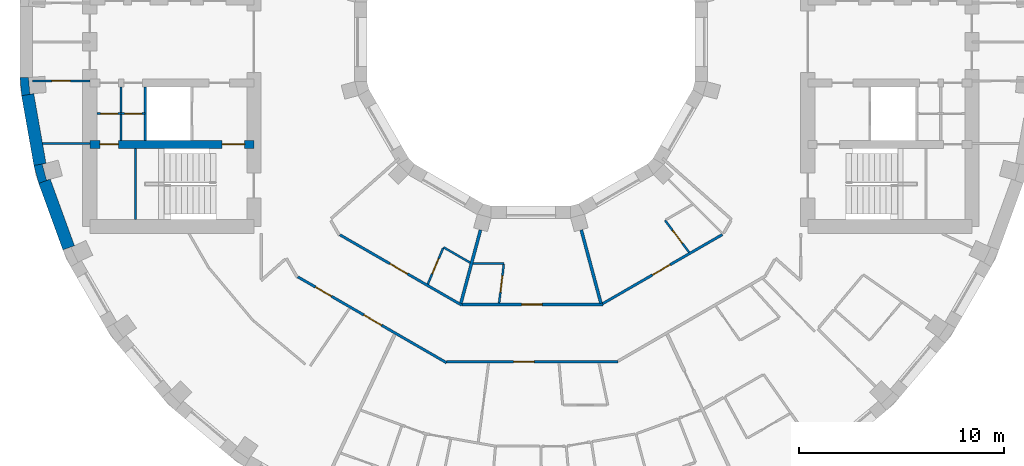
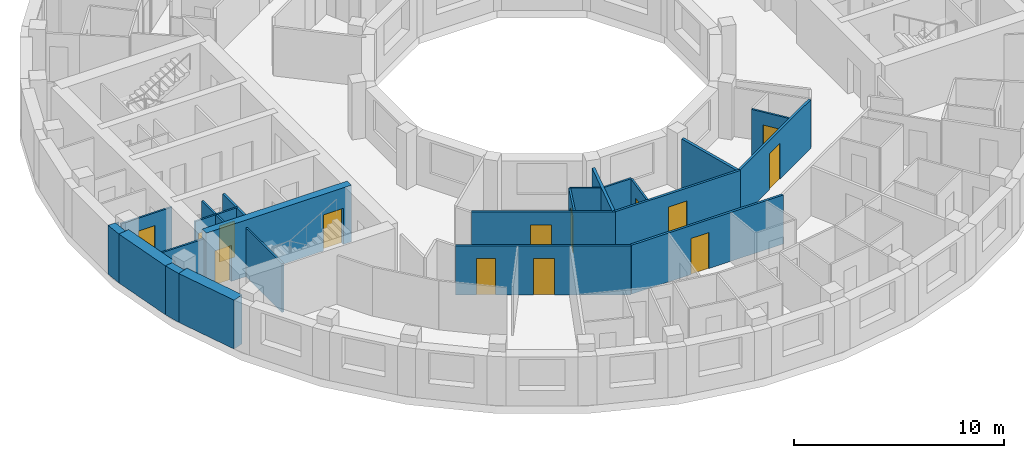
# One storey, part 5 of 15: 24 walls, 14 doors, 14 openings.
"""IFC4 building model written with IfcOpenShell, lengths in metres."""

from ifc_helpers import new_model, si_unit, direction, frame, frame_2d, origin, place, context, subcontext, project, spatial, polyline, rectangle, outline, extrude, material, layer, layer_set, type_object, element, fill, save


model = new_model("IFC4")

# Units and contexts
model_context = context("Model", 3, precision=1e-05, world=origin(), true_north=direction((0.0, 1.0)))
body_context = subcontext(model_context, "Body", "Model", "MODEL_VIEW")
ifc_project = project(units=[si_unit("LENGTHUNIT", "METRE"), si_unit("AREAUNIT", "SQUARE_METRE"), si_unit("VOLUMEUNIT", "CUBIC_METRE"), si_unit("PLANEANGLEUNIT", "RADIAN"), si_unit("MASSUNIT", "GRAM", prefix="KILO")], contexts=[model_context])

# Site, building, storey
site_placement = place(None, origin())
site = spatial("IfcSite", under=ifc_project, at=site_placement, CompositionType="ELEMENT")
building_placement = place(site_placement, origin())
building = spatial("IfcBuilding", under=site, at=building_placement, Name="Saqina Gate Tower", CompositionType="ELEMENT")
storey_placement = place(building_placement, frame((0.0, 0.0, 197.10009765625)))
storey = spatial("IfcBuildingStorey", under=building, at=storey_placement, Name="L56", CompositionType="ELEMENT", Elevation=197.10009765625)

# Walls
ifc_material_1 = material(Name="Brick masonry (buff)", Category="masonry")
wall_type_1 = type_object("IfcWallType", Name="BRICK PIER COPING BUFF", PredefinedType="SOLIDWALL", material=ifc_material_1)
wall_1_placement = place(storey_placement, origin())
element("IfcWall", 1, at=wall_1_placement, inside=storey, type_object=wall_type_1, Name="Pier cap L56 column 19", PredefinedType="SOLIDWALL", context=body_context, shape_type="SweptSolid", body=[
    extrude(outline(polyline([(-24.90478515625, -1.724853515625), (-24.825927734375, -2.6259765625), (-24.235107421875, -2.521728515625), (-24.421630859375, -2.5380859375), (-24.491455078125, -1.7412109375), (-24.304931640625, -1.724853515625), (-24.90478515625, -1.724853515625)])), origin(), (0.0, 0.0, 1.0), 2.849853515625),
])
wall_2_placement = place(storey_placement, origin())
element("IfcWall", 2, at=wall_2_placement, inside=storey, type_object=wall_type_1, Name="Pier cap L56 column 20", PredefinedType="SOLIDWALL", context=body_context, shape_type="SweptSolid", body=[
    extrude(outline(polyline([(-24.22705078125, -6.0234375), (-23.992919921875, -6.897216796875), (-23.428955078125, -6.69189453125), (-23.610107421875, -6.740478515625), (-23.81689453125, -5.967529296875), (-23.635986328125, -5.919189453125), (-24.22705078125, -6.0234375)])), origin(), (0.0, 0.0, 1.0), 2.849853515625),
])
ifc_material_2 = material(Name="Gypsum board on steel studs", Category="steel")
ifc_layer_1 = layer(ifc_material_2, 0.10009765625)
ifc_layer_set_1 = layer_set([ifc_layer_1], Name="CORE PARTITION")
wall_type_2 = type_object("IfcWallType", Name="CORE PARTITION", PredefinedType="PARTITIONING", material=ifc_layer_set_1)
wall_3_placement = place(storey_placement, frame((-21.5, -4.949951171875, 0.0), z_axis=(0.0, 0.0, 1.0), x_axis=(-1.0, 0.0, 0.0)))
element("IfcWall", 3, at=wall_3_placement, inside=storey, type_object=wall_type_2, Name="L56-CP-W03", PredefinedType="PARTITIONING", context=body_context, shape_type="SweptSolid", body=[
    extrude(rectangle(XDim=2.306884765625, YDim=0.10009765625, at=frame_2d((1.1533203125, 0.0))), origin(), (0.0, 0.0, 1.0), 2.849853515625),
])

# Wall, opening, door
wall_4_placement = place(storey_placement, frame((-21.5, -1.89990234375, 0.0), z_axis=(0.0, 0.0, 1.0), x_axis=(-1.0, 0.0, 0.0)))
wall_4 = element("IfcWall", 4, at=wall_4_placement, inside=storey, type_object=wall_type_2, Name="L56-CP-W04", PredefinedType="PARTITIONING", context=body_context, shape_type="SweptSolid", body=[
    extrude(rectangle(XDim=2.804931640625, YDim=0.10009765625, at=frame_2d((1.40234375, 0.0))), origin(), (0.0, 0.0, 1.0), 2.849853515625),
])
opening_1_placement = place(wall_4_placement, frame((0.952392578125, 0.0, 0.0)))
opening_1 = element("IfcOpeningElement", 5, at=opening_1_placement, cuts=wall_4, Name="Opening G16-D116", PredefinedType="OPENING", context=body_context, shape_type="SweptSolid", body=[
    extrude(rectangle(XDim=0.89990234375, YDim=2.10009765625, at=frame_2d((0.449951171875, 1.050048828125))), frame((0.0, 0.06201171875, 0.0), z_axis=(0.0, -1.0, 0.0), x_axis=(1.0, 0.0, 0.0)), (0.0, 0.0, 1.0), 0.1240234375),
])
ifc_material_3 = material(Name="Steel-framed fire door leaf, EI 60", Category="steel")
door_type_1 = type_object("IfcDoorType", Name="SERVICE ROOM DOOR 900", OperationType="SINGLE_SWING_LEFT", PredefinedType="DOOR", material=ifc_material_3)
door_1_placement = place(opening_1_placement, origin())
door_1 = element("IfcDoor", 6, at=door_1_placement, inside=storey, type_object=door_type_1, Name="L56-CD-W27", OperationType="SINGLE_SWING_LEFT", OverallHeight=2.10009765625, OverallWidth=0.89990234375, PredefinedType="DOOR", context=body_context, shape_type="SweptSolid", body=[
    extrude(rectangle(XDim=0.89990234375, YDim=2.10009765625, at=frame_2d((0.449951171875, 1.050048828125))), frame((0.0, 0.02490234375, 0.0), z_axis=(0.0, -1.0, 0.0), x_axis=(1.0, 0.0, 0.0)), (0.0, 0.0, 1.0), 0.050048828125),
])
fill(opening_1, door_1)

# Wall
wall_5_placement = place(storey_placement, frame((-19.97998046875, -4.800048828125, 0.0), z_axis=(0.0, 0.0, 1.0), x_axis=(0.0, 1.0, 0.0)))
element("IfcWall", 7, at=wall_5_placement, inside=storey, type_object=wall_type_2, Name="L56-CP-W11", PredefinedType="PARTITIONING", context=body_context, shape_type="SweptSolid", body=[
    extrude(rectangle(XDim=2.60009765625, YDim=0.10009765625, at=frame_2d((1.300048828125, 0.0))), origin(), (0.0, 0.0, 1.0), 2.849853515625),
])

# Wall, opening, door
wall_6_placement = place(storey_placement, frame((-18.81005859375, -3.5, 0.0), z_axis=(0.0, 0.0, 1.0), x_axis=(-1.0, 0.0, 0.0)))
wall_6 = element("IfcWall", 8, at=wall_6_placement, inside=storey, type_object=wall_type_2, Name="L56-CP-W14", PredefinedType="PARTITIONING", context=body_context, shape_type="SweptSolid", body=[
    extrude(rectangle(XDim=1.169921875, YDim=0.10009765625, at=frame_2d((0.5849609375, 0.0))), origin(), (0.0, 0.0, 1.0), 2.849853515625),
])
opening_2_placement = place(wall_6_placement, frame((0.14990234375, 0.0, 0.0)))
opening_2 = element("IfcOpeningElement", 9, at=opening_2_placement, cuts=wall_6, Name="Opening G16-D121", PredefinedType="OPENING", context=body_context, shape_type="SweptSolid", body=[
    extrude(rectangle(XDim=0.85009765625, YDim=2.10009765625, at=frame_2d((0.425048828125, 1.050048828125))), frame((0.0, 0.06201171875, 0.0), z_axis=(0.0, -1.0, 0.0), x_axis=(1.0, 0.0, 0.0)), (0.0, 0.0, 1.0), 0.1240234375),
])
ifc_material_4 = material(Name="Steel-framed fire door leaf, EI 60", Category="steel")
door_type_2 = type_object("IfcDoorType", Name="SERVICE ROOM DOOR 850", OperationType="SINGLE_SWING_LEFT", PredefinedType="DOOR", material=ifc_material_4)
door_2_placement = place(opening_2_placement, origin())
door_2 = element("IfcDoor", 10, at=door_2_placement, inside=storey, type_object=door_type_2, Name="L56-CD-W32", OperationType="SINGLE_SWING_LEFT", OverallHeight=2.10009765625, OverallWidth=0.85009765625, PredefinedType="DOOR", context=body_context, shape_type="SweptSolid", body=[
    extrude(rectangle(XDim=0.85009765625, YDim=2.10009765625, at=frame_2d((0.425048828125, 1.050048828125))), frame((0.0, 0.02490234375, 0.0), z_axis=(0.0, -1.0, 0.0), x_axis=(1.0, 0.0, 0.0)), (0.0, 0.0, 1.0), 0.050048828125),
])
fill(opening_2, door_2)

wall_7_placement = place(storey_placement, frame((-19.97998046875, -3.5, 0.0), z_axis=(0.0, 0.0, 1.0), x_axis=(-1.0, 0.0, 0.0)))
wall_7 = element("IfcWall", 11, at=wall_7_placement, inside=storey, type_object=wall_type_2, Name="L56-CP-W15", PredefinedType="PARTITIONING", context=body_context, shape_type="SweptSolid", body=[
    extrude(rectangle(XDim=1.169921875, YDim=0.10009765625, at=frame_2d((0.5849609375, 0.0))), origin(), (0.0, 0.0, 1.0), 2.849853515625),
])
opening_3_placement = place(wall_7_placement, frame((0.14990234375, 0.0, 0.0)))
opening_3 = element("IfcOpeningElement", 12, at=opening_3_placement, cuts=wall_7, Name="Opening G16-D122", PredefinedType="OPENING", context=body_context, shape_type="SweptSolid", body=[
    extrude(rectangle(XDim=0.85009765625, YDim=2.10009765625, at=frame_2d((0.425048828125, 1.050048828125))), frame((0.0, 0.06201171875, 0.0), z_axis=(0.0, -1.0, 0.0), x_axis=(1.0, 0.0, 0.0)), (0.0, 0.0, 1.0), 0.1240234375),
])
door_3_placement = place(opening_3_placement, origin())
door_3 = element("IfcDoor", 13, at=door_3_placement, inside=storey, type_object=door_type_2, Name="L56-CD-W33", OperationType="SINGLE_SWING_RIGHT", OverallHeight=2.10009765625, OverallWidth=0.85009765625, PredefinedType="DOOR", context=body_context, shape_type="SweptSolid", body=[
    extrude(rectangle(XDim=0.85009765625, YDim=2.10009765625, at=frame_2d((0.425048828125, 1.050048828125))), frame((0.0, 0.02490234375, 0.0), z_axis=(0.0, -1.0, 0.0), x_axis=(1.0, 0.0, 0.0)), (0.0, 0.0, 1.0), 0.050048828125),
])
fill(opening_3, door_3)

# Walls
ifc_material_5 = material(Name="Glazed ceramic tile", Category="ceramic")
ifc_layer_2 = layer(ifc_material_5, 0.60009765625)
ifc_layer_set_2 = layer_set([ifc_layer_2], Name="FW-TILE")
wall_type_3 = type_object("IfcWallType", Name="FW-TILE", PredefinedType="SOLIDWALL", material=ifc_layer_set_2)
wall_8_placement = place(storey_placement, frame((-24.530517578125, -2.573974609375, 0.0), z_axis=(0.0, 0.0, 1.0), x_axis=(0.173607684551, -0.984814892183, 0.0)))
element("IfcWall", 14, at=wall_8_placement, inside=storey, type_object=wall_type_3, Name="Facade wall L56 facet 19", PredefinedType="SOLIDWALL", context=body_context, shape_type="SweptSolid", body=[
    extrude(rectangle(XDim=3.44970703125, YDim=0.60009765625, at=frame_2d((1.724853515625, 0.0))), origin(), (0.0, 0.0, 1.0), 2.849853515625),
])
ifc_material_6 = material(Name="Glazed ceramic tile (white)", Category="ceramic")
ifc_layer_3 = layer(ifc_material_6, 0.60009765625)
ifc_layer_set_3 = layer_set([ifc_layer_3], Name="FW-TILE-WH")
wall_type_4 = type_object("IfcWallType", Name="FW-TILE-WH", PredefinedType="SOLIDWALL", material=ifc_layer_set_3)
wall_9_placement = place(storey_placement, frame((-23.7109375, -6.79443359375, 0.0), z_axis=(0.0, 0.0, 1.0), x_axis=(0.342032843455, -0.93968799822, 0.0)))
element("IfcWall", 15, at=wall_9_placement, inside=storey, type_object=wall_type_4, Name="Facade wall L56 facet 20", PredefinedType="SOLIDWALL", context=body_context, shape_type="SweptSolid", body=[
    extrude(rectangle(XDim=3.44970703125, YDim=0.60009765625, at=frame_2d((1.724853515625, 0.0))), origin(), (0.0, 0.0, 1.0), 2.849853515625),
])

# Wall, opening, door
ifc_material_7 = material(Name="Gypsum board on steel studs, 100 mm", Category="steel")
ifc_layer_4 = layer(ifc_material_7, 0.10009765625)
ifc_layer_set_4 = layer_set([ifc_layer_4], Name="PARTITION 100")
wall_type_5 = type_object("IfcWallType", Name="PARTITION 100", PredefinedType="PARTITIONING", material=ifc_layer_set_4)
wall_10_placement = place(storey_placement, frame((6.5390625, -8.696044921875, 0.0), z_axis=(0.0, 0.0, 1.0), x_axis=(0.601120334692, -0.799158521959, 0.0)))
wall_10 = element("IfcWall", 16, at=wall_10_placement, inside=storey, type_object=wall_type_5, Name="PARTITION PW3-20", PredefinedType="PARTITIONING", context=body_context, shape_type="SweptSolid", body=[
    extrude(rectangle(XDim=1.951416015625, YDim=0.10009765625, at=frame_2d((0.9755859375, 0.0))), origin(), (0.0, 0.0, 1.0), 2.849853515625),
])
opening_4_placement = place(wall_10_placement, frame((0.607421875, 0.0, 0.0)))
opening_4 = element("IfcOpeningElement", 17, at=opening_4_placement, cuts=wall_10, Name="Opening G16-D58", PredefinedType="OPENING", context=body_context, shape_type="SweptSolid", body=[
    extrude(rectangle(XDim=0.800048828125, YDim=2.10009765625, at=frame_2d((0.39990234375, 1.050048828125))), frame((0.0, 0.06201171875, 0.0), z_axis=(0.0, -1.0, 0.0), x_axis=(1.0, 0.0, 0.0)), (0.0, 0.0, 1.0), 0.1240234375),
])
ifc_material_8 = material(Name="Timber door leaf, 800 mm", Category="wood")
door_type_3 = type_object("IfcDoorType", Name="DOOR 800 TIMBER", OperationType="SINGLE_SWING_LEFT", PredefinedType="DOOR", material=ifc_material_8)
door_4_placement = place(opening_4_placement, frame((0.800048828125, 0.0, 0.0), z_axis=(0.0, 0.0, 1.0), x_axis=(-1.0, 0.0, 0.0)))
door_4 = element("IfcDoor", 18, at=door_4_placement, inside=storey, type_object=door_type_3, Name="DOOR G16-D58", OperationType="SINGLE_SWING_LEFT", OverallHeight=2.10009765625, OverallWidth=0.800048828125, PredefinedType="DOOR", context=body_context, shape_type="SweptSolid", body=[
    extrude(rectangle(XDim=0.800048828125, YDim=2.10009765625, at=frame_2d((0.39990234375, 1.050048828125))), frame((0.0, 0.02490234375, 0.0), z_axis=(0.0, -1.0, 0.0), x_axis=(1.0, 0.0, 0.0)), (0.0, 0.0, 1.0), 0.050048828125),
])
fill(opening_4, door_4)

# Walls
wall_11_placement = place(storey_placement, frame((-4.260986328125, -10.010986328125, 0.0), z_axis=(0.0, 0.0, 1.0), x_axis=(0.86609634961, -0.499877098087, 0.0)))
element("IfcWall", 19, at=wall_11_placement, inside=storey, type_object=wall_type_5, Name="PARTITION PW3-37", PredefinedType="PARTITIONING", context=body_context, shape_type="SweptSolid", body=[
    extrude(rectangle(XDim=1.50341796875, YDim=0.10009765625, at=frame_2d((0.751708984375, 0.0))), origin(), (0.0, 0.0, 1.0), 2.849853515625),
])
wall_12_placement = place(storey_placement, frame((-2.819091796875, -10.800048828125, 0.0), z_axis=(0.0, 0.0, 1.0), x_axis=(1.0, 0.0, 0.0)))
element("IfcWall", 20, at=wall_12_placement, inside=storey, type_object=wall_type_5, Name="PARTITION PW3-54", PredefinedType="PARTITIONING", context=body_context, shape_type="SweptSolid", body=[
    extrude(rectangle(XDim=1.504150390625, YDim=0.10009765625, at=frame_2d((0.751953125, 0.0))), origin(), (0.0, 0.0, 1.0), 2.849853515625),
])

# Wall, opening, door
wall_13_placement = place(storey_placement, frame((-5.025634765625, -11.806396484375, 0.0), z_axis=(0.0, 0.0, 1.0), x_axis=(0.391841940262, 0.920032550431, 0.0)))
wall_13 = element("IfcWall", 21, at=wall_13_placement, inside=storey, type_object=wall_type_5, Name="PARTITION PW3-90", PredefinedType="PARTITIONING", context=body_context, shape_type="SweptSolid", body=[
    extrude(rectangle(XDim=1.901611328125, YDim=0.10009765625, at=frame_2d((0.95068359375, 0.0))), origin(), (0.0, 0.0, 1.0), 2.849853515625),
])
opening_5_placement = place(wall_13_placement, frame((0.54443359375, 0.0, 0.0)))
opening_5 = element("IfcOpeningElement", 22, at=opening_5_placement, cuts=wall_13, Name="Opening G16-D37", PredefinedType="OPENING", context=body_context, shape_type="SweptSolid", body=[
    extrude(rectangle(XDim=0.800048828125, YDim=2.10009765625, at=frame_2d((0.39990234375, 1.050048828125))), frame((0.0, 0.06201171875, 0.0), z_axis=(0.0, -1.0, 0.0), x_axis=(1.0, 0.0, 0.0)), (0.0, 0.0, 1.0), 0.1240234375),
])
door_5_placement = place(opening_5_placement, origin())
door_5 = element("IfcDoor", 23, at=door_5_placement, inside=storey, type_object=door_type_3, Name="DOOR G16-D37", OperationType="SINGLE_SWING_LEFT", OverallHeight=2.10009765625, OverallWidth=0.800048828125, PredefinedType="DOOR", context=body_context, shape_type="SweptSolid", body=[
    extrude(rectangle(XDim=0.800048828125, YDim=2.10009765625, at=frame_2d((0.39990234375, 1.050048828125))), frame((0.0, 0.02490234375, 0.0), z_axis=(0.0, -1.0, 0.0), x_axis=(1.0, 0.0, 0.0)), (0.0, 0.0, 1.0), 0.050048828125),
])
fill(opening_5, door_5)

wall_14_placement = place(storey_placement, frame((-1.551513671875, -12.738037109375, 0.0), z_axis=(0.0, 0.0, 1.0), x_axis=(0.121143814879, 0.992634966197, 0.0)))
wall_14 = element("IfcWall", 24, at=wall_14_placement, inside=storey, type_object=wall_type_5, Name="PARTITION PW3-100", PredefinedType="PARTITIONING", context=body_context, shape_type="SweptSolid", body=[
    extrude(rectangle(XDim=1.90234375, YDim=0.10009765625, at=frame_2d((0.951171875, 0.0))), origin(), (0.0, 0.0, 1.0), 2.849853515625),
])
opening_6_placement = place(wall_14_placement, frame((0.544921875, 0.0, 0.0)))
opening_6 = element("IfcOpeningElement", 25, at=opening_6_placement, cuts=wall_14, Name="Opening G16-D43", PredefinedType="OPENING", context=body_context, shape_type="SweptSolid", body=[
    extrude(rectangle(XDim=0.800048828125, YDim=2.10009765625, at=frame_2d((0.39990234375, 1.050048828125))), frame((0.0, 0.06201171875, 0.0), z_axis=(0.0, -1.0, 0.0), x_axis=(1.0, 0.0, 0.0)), (0.0, 0.0, 1.0), 0.1240234375),
])
door_6_placement = place(opening_6_placement, frame((0.800048828125, 0.0, 0.0), z_axis=(0.0, 0.0, 1.0), x_axis=(-1.0, 0.0, 0.0)))
door_6 = element("IfcDoor", 26, at=door_6_placement, inside=storey, type_object=door_type_3, Name="DOOR G16-D43", OperationType="SINGLE_SWING_RIGHT", OverallHeight=2.10009765625, OverallWidth=0.800048828125, PredefinedType="DOOR", context=body_context, shape_type="SweptSolid", body=[
    extrude(rectangle(XDim=0.800048828125, YDim=2.10009765625, at=frame_2d((0.39990234375, 1.050048828125))), frame((0.0, 0.02490234375, 0.0), z_axis=(0.0, -1.0, 0.0), x_axis=(1.0, 0.0, 0.0)), (0.0, 0.0, 1.0), 0.050048828125),
])
fill(opening_6, door_6)

# Wall, openings, doors
ifc_material_9 = material(Name="Gypsum board on steel studs, 125 mm, fire rated", Category="steel")
ifc_layer_5 = layer(ifc_material_9, 0.125)
ifc_layer_set_5 = layer_set([ifc_layer_5], Name="PARTITION EI 30 125")
wall_type_6 = type_object("IfcWallType", Name="PARTITION EI 30 125", PredefinedType="PARTITIONING", material=ifc_layer_set_5)
wall_15_placement = place(storey_placement, frame((-11.365966796875, -11.451171875, 0.0), z_axis=(0.0, 0.0, 1.0), x_axis=(0.866032091518, -0.499988416326, 0.0)))
wall_15 = element("IfcWall", 27, at=wall_15_placement, inside=storey, type_object=wall_type_6, Name="PARTITION PW1-13", PredefinedType="PARTITIONING", context=body_context, shape_type="SweptSolid", body=[
    extrude(rectangle(XDim=8.369873046875, YDim=0.125, at=frame_2d((4.18505859375, 0.0))), origin(), (0.0, 0.0, 1.0), 2.849853515625),
])
opening_7_placement = place(wall_15_placement, frame((0.997802734375, 0.0, 0.0)))
opening_7 = element("IfcOpeningElement", 28, at=opening_7_placement, cuts=wall_15, Name="Opening G16-D34", PredefinedType="OPENING", context=body_context, shape_type="SweptSolid", body=[
    extrude(rectangle(XDim=0.89990234375, YDim=2.10009765625, at=frame_2d((0.449951171875, 1.050048828125))), frame((0.0, 0.074462890625, 0.0), z_axis=(0.0, -1.0, 0.0), x_axis=(1.0, 0.0, 0.0)), (0.0, 0.0, 1.0), 0.14892578125),
])
opening_8_placement = place(wall_15_placement, frame((3.72021484375, 0.0, 0.0)))
opening_8 = element("IfcOpeningElement", 29, at=opening_8_placement, cuts=wall_15, Name="Opening G16-D36", PredefinedType="OPENING", context=body_context, shape_type="SweptSolid", body=[
    extrude(rectangle(XDim=1.0, YDim=2.10009765625, at=frame_2d((0.5, 1.050048828125))), frame((0.0, 0.074462890625, 0.0), z_axis=(0.0, -1.0, 0.0), x_axis=(1.0, 0.0, 0.0)), (0.0, 0.0, 1.0), 0.14892578125),
])
ifc_material_10 = material(Name="Fire door leaf EI 30, 1000 mm")
door_type_4 = type_object("IfcDoorType", Name="DOOR 1000 EI 30", OperationType="SINGLE_SWING_LEFT", PredefinedType="DOOR", material=ifc_material_10)
door_7_placement = place(opening_8_placement, origin())
door_7 = element("IfcDoor", 30, at=door_7_placement, inside=storey, type_object=door_type_4, Name="DOOR G16-D36", OperationType="SINGLE_SWING_RIGHT", OverallHeight=2.10009765625, OverallWidth=1.0, PredefinedType="DOOR", context=body_context, shape_type="SweptSolid", body=[
    extrude(rectangle(XDim=1.0, YDim=2.10009765625, at=frame_2d((0.5, 1.050048828125))), frame((0.0, 0.02490234375, 0.0), z_axis=(0.0, -1.0, 0.0), x_axis=(1.0, 0.0, 0.0)), (0.0, 0.0, 1.0), 0.050048828125),
])
fill(opening_8, door_7)
ifc_material_11 = material(Name="Fire door leaf EI 30, 900 mm")
door_type_5 = type_object("IfcDoorType", Name="DOOR 900 EI 30", OperationType="SINGLE_SWING_LEFT", PredefinedType="DOOR", material=ifc_material_11)
door_8_placement = place(opening_7_placement, frame((0.89990234375, 0.0, 0.0), z_axis=(0.0, 0.0, 1.0), x_axis=(-1.0, 0.0, 0.0)))
door_8 = element("IfcDoor", 31, at=door_8_placement, inside=storey, type_object=door_type_5, Name="DOOR G16-D34", OperationType="SINGLE_SWING_RIGHT", OverallHeight=2.10009765625, OverallWidth=0.89990234375, PredefinedType="DOOR", context=body_context, shape_type="SweptSolid", body=[
    extrude(rectangle(XDim=0.89990234375, YDim=2.10009765625, at=frame_2d((0.449951171875, 1.050048828125))), frame((0.0, 0.02490234375, 0.0), z_axis=(0.0, -1.0, 0.0), x_axis=(1.0, 0.0, 0.0)), (0.0, 0.0, 1.0), 0.050048828125),
])
fill(opening_7, door_8)

# Wall, opening, door
wall_16_placement = place(storey_placement, frame((-9.31591796875, -9.4013671875, 0.0), z_axis=(0.0, 0.0, 1.0), x_axis=(0.865996765544, -0.500049599607, 0.0)))
wall_16 = element("IfcWall", 32, at=wall_16_placement, inside=storey, type_object=wall_type_6, Name="PARTITION PW1-14", PredefinedType="PARTITIONING", context=body_context, shape_type="SweptSolid", body=[
    extrude(rectangle(XDim=6.868896484375, YDim=0.125, at=frame_2d((3.4345703125, 0.0))), origin(), (0.0, 0.0, 1.0), 2.849853515625),
])
opening_9_placement = place(wall_16_placement, frame((2.816162109375, 0.0, 0.0)))
opening_9 = element("IfcOpeningElement", 33, at=opening_9_placement, cuts=wall_16, Name="Opening G16-D35", PredefinedType="OPENING", context=body_context, shape_type="SweptSolid", body=[
    extrude(rectangle(XDim=1.0, YDim=2.10009765625, at=frame_2d((0.5, 1.050048828125))), frame((0.0, 0.074462890625, 0.0), z_axis=(0.0, -1.0, 0.0), x_axis=(1.0, 0.0, 0.0)), (0.0, 0.0, 1.0), 0.14892578125),
])
door_9_placement = place(opening_9_placement, origin())
door_9 = element("IfcDoor", 34, at=door_9_placement, inside=storey, type_object=door_type_4, Name="DOOR G16-D35", OperationType="SINGLE_SWING_LEFT", OverallHeight=2.10009765625, OverallWidth=1.0, PredefinedType="DOOR", context=body_context, shape_type="SweptSolid", body=[
    extrude(rectangle(XDim=1.0, YDim=2.10009765625, at=frame_2d((0.5, 1.050048828125))), frame((0.0, 0.02490234375, 0.0), z_axis=(0.0, -1.0, 0.0), x_axis=(1.0, 0.0, 0.0)), (0.0, 0.0, 1.0), 0.050048828125),
])
fill(opening_9, door_9)

wall_17_placement = place(storey_placement, frame((-4.117431640625, -15.60009765625, 0.0), z_axis=(0.0, 0.0, 1.0), x_axis=(1.0, 0.0, 0.0)))
wall_17 = element("IfcWall", 35, at=wall_17_placement, inside=storey, type_object=wall_type_6, Name="PARTITION PW1-23", PredefinedType="PARTITIONING", context=body_context, shape_type="SweptSolid", body=[
    extrude(rectangle(XDim=8.36962890625, YDim=0.125, at=frame_2d((4.184814453125, 0.0))), origin(), (0.0, 0.0, 1.0), 2.849853515625),
])
opening_10_placement = place(wall_17_placement, frame((3.27294921875, 0.0, 0.0)))
opening_10 = element("IfcOpeningElement", 36, at=opening_10_placement, cuts=wall_17, Name="Opening G16-D45", PredefinedType="OPENING", context=body_context, shape_type="SweptSolid", body=[
    extrude(rectangle(XDim=1.0, YDim=2.10009765625, at=frame_2d((0.5, 1.050048828125))), frame((0.0, 0.074462890625, 0.0), z_axis=(0.0, -1.0, 0.0), x_axis=(1.0, 0.0, 0.0)), (0.0, 0.0, 1.0), 0.14892578125),
])
door_10_placement = place(opening_10_placement, frame((1.0, 0.0, 0.0), z_axis=(0.0, 0.0, 1.0), x_axis=(-1.0, 0.0, 0.0)))
door_10 = element("IfcDoor", 37, at=door_10_placement, inside=storey, type_object=door_type_4, Name="DOOR G16-D45", OperationType="SINGLE_SWING_RIGHT", OverallHeight=2.10009765625, OverallWidth=1.0, PredefinedType="DOOR", context=body_context, shape_type="SweptSolid", body=[
    extrude(rectangle(XDim=1.0, YDim=2.10009765625, at=frame_2d((0.5, 1.050048828125))), frame((0.0, 0.02490234375, 0.0), z_axis=(0.0, -1.0, 0.0), x_axis=(1.0, 0.0, 0.0)), (0.0, 0.0, 1.0), 0.050048828125),
])
fill(opening_10, door_10)

wall_18_placement = place(storey_placement, frame((-3.367431640625, -12.800048828125, 0.0), z_axis=(0.0, 0.0, 1.0), x_axis=(1.0, 0.0, 0.0)))
wall_18 = element("IfcWall", 38, at=wall_18_placement, inside=storey, type_object=wall_type_6, Name="PARTITION PW1-24", PredefinedType="PARTITIONING", context=body_context, shape_type="SweptSolid", body=[
    extrude(rectangle(XDim=6.884033203125, YDim=0.125, at=frame_2d((3.44189453125, 0.0))), origin(), (0.0, 0.0, 1.0), 2.849853515625),
])
opening_11_placement = place(wall_18_placement, frame((2.91796875, 0.0, 0.0)))
opening_11 = element("IfcOpeningElement", 39, at=opening_11_placement, cuts=wall_18, Name="Opening G16-D46", PredefinedType="OPENING", context=body_context, shape_type="SweptSolid", body=[
    extrude(rectangle(XDim=1.0, YDim=2.10009765625, at=frame_2d((0.5, 1.050048828125))), frame((0.0, 0.074462890625, 0.0), z_axis=(0.0, -1.0, 0.0), x_axis=(1.0, 0.0, 0.0)), (0.0, 0.0, 1.0), 0.14892578125),
])
door_11_placement = place(opening_11_placement, origin())
door_11 = element("IfcDoor", 40, at=door_11_placement, inside=storey, type_object=door_type_4, Name="DOOR G16-D46", OperationType="SINGLE_SWING_LEFT", OverallHeight=2.10009765625, OverallWidth=1.0, PredefinedType="DOOR", context=body_context, shape_type="SweptSolid", body=[
    extrude(rectangle(XDim=1.0, YDim=2.10009765625, at=frame_2d((0.5, 1.050048828125))), frame((0.0, 0.02490234375, 0.0), z_axis=(0.0, -1.0, 0.0), x_axis=(1.0, 0.0, 0.0)), (0.0, 0.0, 1.0), 0.050048828125),
])
fill(opening_11, door_11)

wall_19_placement = place(storey_placement, frame((3.494873046875, -12.762451171875, 0.0), z_axis=(0.0, 0.0, 1.0), x_axis=(0.865996609613, 0.500049869652, 0.0)))
wall_19 = element("IfcWall", 41, at=wall_19_placement, inside=storey, type_object=wall_type_6, Name="PARTITION PW1-34", PredefinedType="PARTITIONING", context=body_context, shape_type="SweptSolid", body=[
    extrude(rectangle(XDim=6.734130859375, YDim=0.125, at=frame_2d((3.3671875, 0.0))), origin(), (0.0, 0.0, 1.0), 2.849853515625),
])
opening_12_placement = place(wall_19_placement, frame((2.8037109375, 0.0, 0.0)))
opening_12 = element("IfcOpeningElement", 42, at=opening_12_placement, cuts=wall_19, Name="Opening G16-D54", PredefinedType="OPENING", context=body_context, shape_type="SweptSolid", body=[
    extrude(rectangle(XDim=1.0, YDim=2.10009765625, at=frame_2d((0.5, 1.050048828125))), frame((0.0, 0.074462890625, 0.0), z_axis=(0.0, -1.0, 0.0), x_axis=(1.0, 0.0, 0.0)), (0.0, 0.0, 1.0), 0.14892578125),
])
door_12_placement = place(opening_12_placement, origin())
door_12 = element("IfcDoor", 43, at=door_12_placement, inside=storey, type_object=door_type_4, Name="DOOR G16-D54", OperationType="SINGLE_SWING_LEFT", OverallHeight=2.10009765625, OverallWidth=1.0, PredefinedType="DOOR", context=body_context, shape_type="SweptSolid", body=[
    extrude(rectangle(XDim=1.0, YDim=2.10009765625, at=frame_2d((0.5, 1.050048828125))), frame((0.0, 0.02490234375, 0.0), z_axis=(0.0, -1.0, 0.0), x_axis=(1.0, 0.0, 0.0)), (0.0, 0.0, 1.0), 0.050048828125),
])
fill(opening_12, door_12)

# Walls
ifc_material_12 = material(Name="Gypsum board on steel studs, 150 mm, fire rated", Category="steel")
ifc_layer_6 = layer(ifc_material_12, 0.14990234375)
ifc_layer_set_6 = layer_set([ifc_layer_6], Name="PARTITION EI 60 150")
wall_type_7 = type_object("IfcWallType", Name="PARTITION EI 60 150", PredefinedType="PARTITIONING", material=ifc_layer_set_6)
wall_20_placement = place(storey_placement, frame((2.45703125, -9.168701171875, 0.0), z_axis=(0.0, 0.0, 1.0), x_axis=(0.258879127767, -0.965909725185, 0.0)))
element("IfcWall", 44, at=wall_20_placement, inside=storey, type_object=wall_type_7, Name="PARTITION PW2-03", PredefinedType="PARTITIONING", context=body_context, shape_type="SweptSolid", body=[
    extrude(rectangle(XDim=3.69677734375, YDim=0.14990234375, at=frame_2d((1.848388671875, 0.0))), origin(), (0.0, 0.0, 1.0), 2.849853515625),
])
wall_21_placement = place(storey_placement, frame((-3.41357421875, -12.73974609375, 0.0), z_axis=(0.0, 0.0, 1.0), x_axis=(0.258739386172, 0.965947167315, 0.0)))
element("IfcWall", 45, at=wall_21_placement, inside=storey, type_object=wall_type_7, Name="PARTITION PW2-07", PredefinedType="PARTITIONING", context=body_context, shape_type="SweptSolid", body=[
    extrude(rectangle(XDim=3.697021484375, YDim=0.14990234375, at=frame_2d((1.8486328125, 0.0))), origin(), (0.0, 0.0, 1.0), 2.849853515625),
])
ifc_material_13 = material(Name="Autoclaved aerated concrete block", Category="concrete")
ifc_layer_7 = layer(ifc_material_13, 0.1201171875)
ifc_layer_set_7 = layer_set([ifc_layer_7], Name="SHAFT PARTITION")
wall_type_8 = type_object("IfcWallType", Name="SHAFT PARTITION", PredefinedType="PARTITIONING", material=ifc_layer_set_7)
wall_22_placement = place(storey_placement, frame((-18.81005859375, -4.800048828125, 0.0), z_axis=(0.0, 0.0, 1.0), x_axis=(0.0, 1.0, 0.0)))
element("IfcWall", 46, at=wall_22_placement, inside=storey, type_object=wall_type_8, Name="L56-CP-W10", PredefinedType="PARTITIONING", context=body_context, shape_type="SweptSolid", body=[
    extrude(rectangle(XDim=2.60009765625, YDim=0.1201171875, at=frame_2d((1.300048828125, 0.0))), origin(), (0.0, 0.0, 1.0), 2.849853515625),
])
ifc_material_14 = material(Name="Autoclaved aerated concrete block", Category="concrete")
ifc_layer_8 = layer(ifc_material_14, 0.10009765625)
ifc_layer_set_8 = layer_set([ifc_layer_8], Name="STAIR ENCLOSURE WALL")
wall_type_9 = type_object("IfcWallType", Name="STAIR ENCLOSURE WALL", PredefinedType="PARTITIONING", material=ifc_layer_set_8)
wall_23_placement = place(storey_placement, frame((-19.27001953125, -8.64990234375, 0.0), z_axis=(0.0, 0.0, 1.0), x_axis=(0.0, 1.0, 0.0)))
element("IfcWall", 47, at=wall_23_placement, inside=storey, type_object=wall_type_9, Name="L56-CP-W17", PredefinedType="PARTITIONING", context=body_context, shape_type="SweptSolid", body=[
    extrude(rectangle(XDim=3.449951171875, YDim=0.10009765625, at=frame_2d((1.72509765625, 0.0))), origin(), (0.0, 0.0, 1.0), 2.849853515625),
])

# Wall, openings, doors
ifc_material_15 = material(Name="Concrete C60/75", Category="concrete")
ifc_layer_9 = layer(ifc_material_15, 0.39990234375)
ifc_layer_set_9 = layer_set([ifc_layer_9], Name="Concrete C60/75")
wall_type_10 = type_object("IfcWallType", Name="STR-CORE WALL-C-I", PredefinedType="SHEAR", material=ifc_layer_set_9)
wall_24_placement = place(storey_placement, frame((-13.5, -5.0, 0.0), z_axis=(0.0, 0.0, 1.0), x_axis=(-1.0, 0.0, 0.0)))
wall_24 = element("IfcWall", 48, at=wall_24_placement, inside=storey, type_object=wall_type_10, Name="CORE WALL L56 W-X2", PredefinedType="SHEAR", context=body_context, shape_type="SweptSolid", body=[
    extrude(rectangle(XDim=8.0, YDim=0.39990234375, at=frame_2d((4.0, 0.0))), origin(), (0.0, 0.0, 1.0), 3.2998046875),
])
opening_13_placement = place(wall_24_placement, frame((6.614990234375, 0.0, 0.0)))
opening_13 = element("IfcOpeningElement", 49, at=opening_13_placement, cuts=wall_24, Name="Opening G16-D123", PredefinedType="OPENING", context=body_context, shape_type="SweptSolid", body=[
    extrude(rectangle(XDim=0.89990234375, YDim=2.10009765625, at=frame_2d((0.449951171875, 1.050048828125))), frame((0.0, 0.2119140625, 0.0), z_axis=(0.0, -1.0, 0.0), x_axis=(1.0, 0.0, 0.0)), (0.0, 0.0, 1.0), 0.423828125),
])
opening_14_placement = place(wall_24_placement, frame((0.449951171875, 0.0, 0.0)))
opening_14 = element("IfcOpeningElement", 50, at=opening_14_placement, cuts=wall_24, Name="Opening G16-D124", PredefinedType="OPENING", context=body_context, shape_type="SweptSolid", body=[
    extrude(rectangle(XDim=1.10009765625, YDim=2.10009765625, at=frame_2d((0.550048828125, 1.050048828125))), frame((0.0, 0.2119140625, 0.0), z_axis=(0.0, -1.0, 0.0), x_axis=(1.0, 0.0, 0.0)), (0.0, 0.0, 1.0), 0.423828125),
])
ifc_material_16 = material(Name="Steel", Category="steel")
door_type_6 = type_object("IfcDoorType", Name="FIRE LOBBY DOOR EI 60 WIDE", OperationType="SINGLE_SWING_LEFT", PredefinedType="DOOR", material=ifc_material_16)
door_13_placement = place(opening_14_placement, origin())
door_13 = element("IfcDoor", 51, at=door_13_placement, inside=storey, type_object=door_type_6, Name="L56-CD-W35", OperationType="SINGLE_SWING_LEFT", OverallHeight=2.10009765625, OverallWidth=1.10009765625, PredefinedType="DOOR", context=body_context, shape_type="SweptSolid", body=[
    extrude(rectangle(XDim=1.10009765625, YDim=2.10009765625, at=frame_2d((0.550048828125, 1.050048828125))), frame((0.0, 0.02490234375, 0.0), z_axis=(0.0, -1.0, 0.0), x_axis=(1.0, 0.0, 0.0)), (0.0, 0.0, 1.0), 0.050048828125),
])
fill(opening_14, door_13)
door_14_placement = place(opening_13_placement, origin())
door_14 = element("IfcDoor", 52, at=door_14_placement, inside=storey, type_object=door_type_1, Name="L56-CD-W34", OperationType="SINGLE_SWING_RIGHT", OverallHeight=2.10009765625, OverallWidth=0.89990234375, PredefinedType="DOOR", context=body_context, shape_type="SweptSolid", body=[
    extrude(rectangle(XDim=0.89990234375, YDim=2.10009765625, at=frame_2d((0.449951171875, 1.050048828125))), frame((0.0, 0.02490234375, 0.0), z_axis=(0.0, -1.0, 0.0), x_axis=(1.0, 0.0, 0.0)), (0.0, 0.0, 1.0), 0.050048828125),
])
fill(opening_13, door_14)

save(model, "model.ifc")
